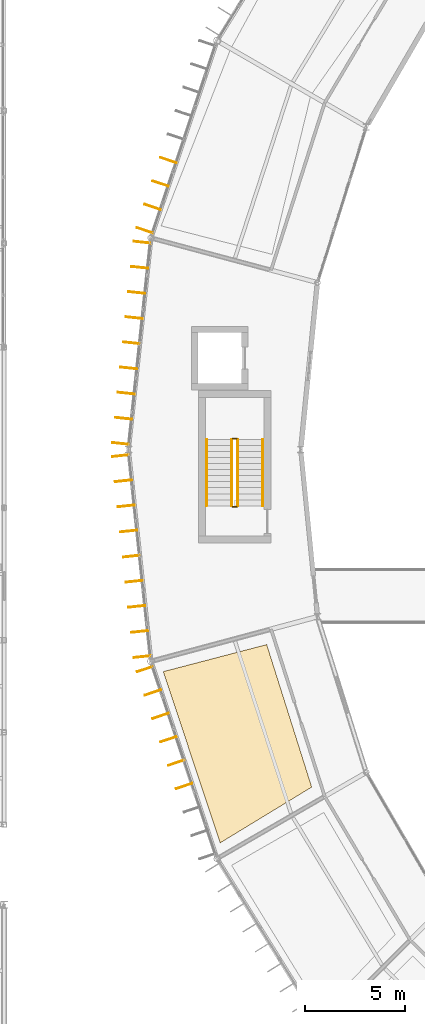
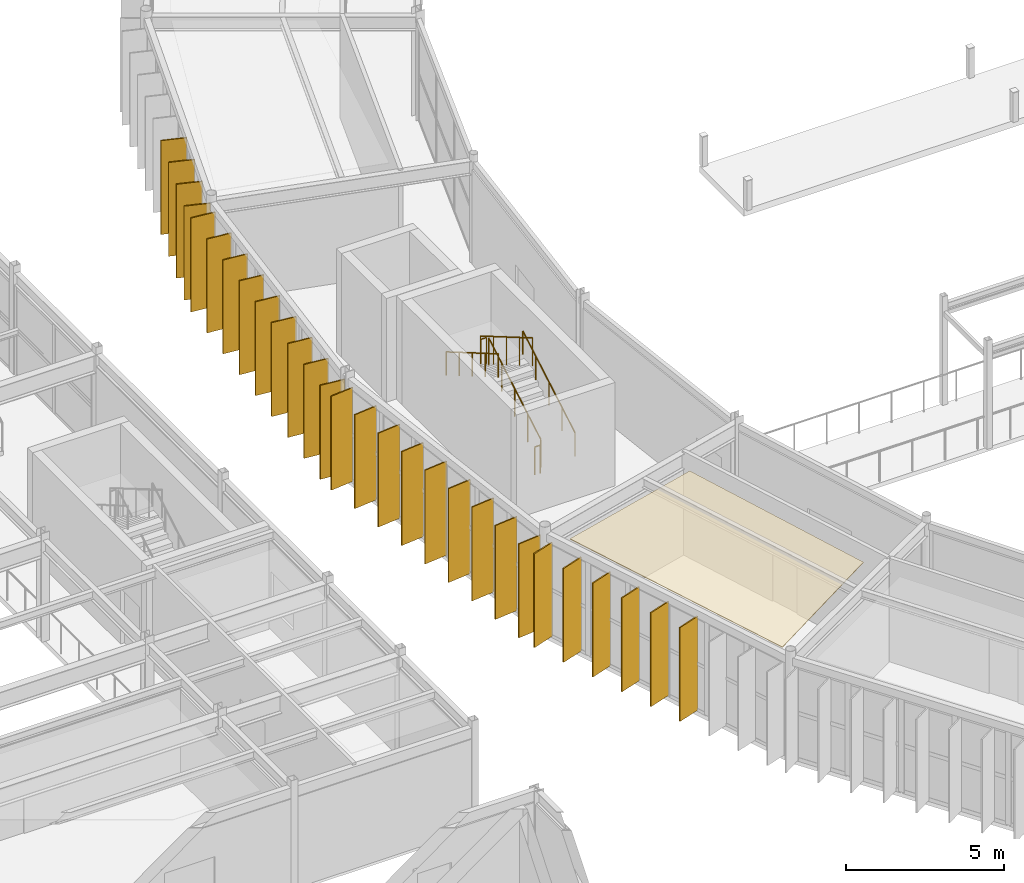
# One storey, part 136 of 147: 28 shading devices, 6 railings, 1 covering.
"""IFC4 building model written with IfcOpenShell, lengths in metres."""

from ifc_helpers import new_model, si_unit, direction, frame, origin, origin_2d, place, context, subcontext, project, spatial, polyline, rectangle, circle, outline, extrude, material, layer, layer_set, type_object, element, save


model = new_model("IFC4")

# Units and contexts
model_context = context("Model", 3, precision=1e-05, world=origin(), true_north=direction((0.0, 1.0)))
body_context = subcontext(model_context, "Body", "Model", "MODEL_VIEW")
ifc_project = project(units=[si_unit("LENGTHUNIT", "METRE"), si_unit("AREAUNIT", "SQUARE_METRE"), si_unit("VOLUMEUNIT", "CUBIC_METRE"), si_unit("PLANEANGLEUNIT", "RADIAN"), si_unit("MASSUNIT", "GRAM", prefix="KILO")], contexts=[model_context])

# Site, building, storey
site_placement = place(None, origin())
site = spatial("IfcSite", under=ifc_project, at=site_placement, CompositionType="ELEMENT")
building_placement = place(site_placement, origin())
building = spatial("IfcBuilding", under=site, at=building_placement, Name="Karori Crest Natural Sciences Institute", CompositionType="ELEMENT")
storey_placement = place(building_placement, frame((0.0, 0.0, 9.10009765625)))
storey = spatial("IfcBuildingStorey", under=building, at=storey_placement, Name="L02", CompositionType="ELEMENT", Elevation=9.10009765625)

# Covering
ifc_material_1 = material(Name="Acoustic mineral fibre ceiling tile")
ifc_layer_1 = layer(ifc_material_1, 0.02490234375, Name="Acoustic mineral fibre ceiling tile")
ifc_layer_set_1 = layer_set([ifc_layer_1], Name="Acoustic mineral fibre ceiling tile")
covering_type = type_object("IfcCoveringType", Name="CVT-CEIL", PredefinedType="CEILING", material=ifc_layer_set_1)
covering_placement = place(storey_placement, frame((0.0, 0.0, 3.704833984375)))
element("IfcCovering", 1, at=covering_placement, inside=storey, type_object=covering_type, Name="Acoustic ceiling CLG-0070", PredefinedType="CEILING", context=body_context, shape_type="SweptSolid", body=[
    extrude(outline(polyline([(42.5400390625, 33.06591796875), (40.296630859375, 40.1748046875), (35.138427734375, 38.827392578125), (37.974365234375, 30.28515625), (42.5400390625, 33.06591796875)])), origin(), (0.0, 0.0, 1.0), 0.025146484375),
])

# Railings
ifc_material_2 = material(Name="Stainless steel 316 tubular handrail", Category="steel")
railing_type_1 = type_object("IfcRailingType", Name="RLT-HND", PredefinedType="HANDRAIL", material=ifc_material_2)
railing_1_placement = place(storey_placement, frame((40.10009765625, 47.10009765625, 0.1748046875)))
element("IfcRailing", 2, at=railing_1_placement, inside=storey, type_object=railing_type_1, Name="Stair handrail RL-0072", PredefinedType="HANDRAIL", context=body_context, shape_type="SweptSolid", body=[
    extrude(circle(Radius=0.02392578125, at=origin_2d()), frame((0.0, 0.0, 0.90087890625), z_axis=(0.0, 0.863760357493, 0.503902812876), x_axis=(-1.0, 0.0, 0.0)), (0.0, 0.0, 1.0), 3.8203125),
    extrude(circle(Radius=0.02099609375, at=origin_2d()), origin(), (0.0, 0.0, 1.0), 0.876953125),
    extrude(circle(Radius=0.02099609375, at=origin_2d()), frame((0.0, 0.824951171875, 0.481201171875)), (0.0, 0.0, 1.0), 0.876953125),
    extrude(circle(Radius=0.02099609375, at=origin_2d()), frame((0.0, 1.64990234375, 0.96240234375)), (0.0, 0.0, 1.0), 0.876953125),
    extrude(circle(Radius=0.02099609375, at=origin_2d()), frame((0.0, 2.474853515625, 1.44384765625)), (0.0, 0.0, 1.0), 0.876953125),
    extrude(circle(Radius=0.02099609375, at=origin_2d()), frame((0.0, 3.2998046875, 1.925048828125)), (0.0, 0.0, 1.0), 0.876953125),
])
railing_2_placement = place(storey_placement, frame((37.300048828125, 50.39990234375, 2.27490234375)))
element("IfcRailing", 3, at=railing_2_placement, inside=storey, type_object=railing_type_1, Name="Stair handrail RL-0073", PredefinedType="HANDRAIL", context=body_context, shape_type="SweptSolid", body=[
    extrude(circle(Radius=0.02392578125, at=origin_2d()), frame((0.0, 0.0, 0.90087890625), z_axis=(0.0, -0.863760357493, 0.503902812876), x_axis=(1.0, 0.0, 0.0)), (0.0, 0.0, 1.0), 3.8203125),
    extrude(circle(Radius=0.02099609375, at=origin_2d()), origin(), (0.0, 0.0, 1.0), 0.876953125),
    extrude(circle(Radius=0.02099609375, at=origin_2d()), frame((0.0, -0.824951171875, 0.481201171875)), (0.0, 0.0, 1.0), 0.876953125),
    extrude(circle(Radius=0.02099609375, at=origin_2d()), frame((0.0, -1.64990234375, 0.96240234375)), (0.0, 0.0, 1.0), 0.876953125),
    extrude(circle(Radius=0.02099609375, at=origin_2d()), frame((0.0, -2.474853515625, 1.44384765625)), (0.0, 0.0, 1.0), 0.876953125),
    extrude(circle(Radius=0.02099609375, at=origin_2d()), frame((0.0, -3.2998046875, 1.925048828125)), (0.0, 0.0, 1.0), 0.876953125),
])
ifc_material_3 = material(Name="Stainless steel 316 stair guard", Category="steel")
railing_type_2 = type_object("IfcRailingType", Name="RLT-STG", PredefinedType="GUARDRAIL", material=ifc_material_3)
railing_3_placement = place(storey_placement, frame((38.85009765625, 47.10009765625, 0.1748046875)))
element("IfcRailing", 4, at=railing_3_placement, inside=storey, type_object=railing_type_2, Name="Stair guard RL-0068", PredefinedType="GUARDRAIL", context=body_context, shape_type="SweptSolid", body=[
    extrude(circle(Radius=0.02392578125, at=origin_2d()), frame((0.0, 0.0, 1.076171875), z_axis=(0.0, 0.863760357493, 0.503902812876), x_axis=(-1.0, 0.0, 0.0)), (0.0, 0.0, 1.0), 3.8203125),
    extrude(circle(Radius=0.02099609375, at=origin_2d()), origin(), (0.0, 0.0, 1.0), 1.052001953125),
    extrude(circle(Radius=0.02099609375, at=origin_2d()), frame((0.0, 0.824951171875, 0.481201171875)), (0.0, 0.0, 1.0), 1.052001953125),
    extrude(circle(Radius=0.02099609375, at=origin_2d()), frame((0.0, 1.64990234375, 0.96240234375)), (0.0, 0.0, 1.0), 1.052001953125),
    extrude(circle(Radius=0.02099609375, at=origin_2d()), frame((0.0, 2.474853515625, 1.44384765625)), (0.0, 0.0, 1.0), 1.052001953125),
    extrude(circle(Radius=0.02099609375, at=origin_2d()), frame((0.0, 3.2998046875, 1.925048828125)), (0.0, 0.0, 1.0), 1.052001953125),
])
railing_4_placement = place(storey_placement, frame((38.800048828125, 50.449951171875, 2.099853515625)))
element("IfcRailing", 5, at=railing_4_placement, inside=storey, type_object=railing_type_2, Name="Stair guard RL-0069", PredefinedType="GUARDRAIL", context=body_context, shape_type="SweptSolid", body=[
    extrude(circle(Radius=0.02392578125, at=origin_2d()), frame((0.0, 0.0, 1.076171875), z_axis=(-1.0, 0.0, 0.0), x_axis=(0.0, -1.0, 0.0)), (0.0, 0.0, 1.0), 0.199951171875),
    extrude(circle(Radius=0.02099609375, at=origin_2d()), origin(), (0.0, 0.0, 1.0), 1.052001953125),
    extrude(circle(Radius=0.02099609375, at=origin_2d()), frame((-0.199951171875, 0.0, 0.0)), (0.0, 0.0, 1.0), 1.052001953125),
])
railing_5_placement = place(storey_placement, frame((38.550048828125, 50.39990234375, 2.27490234375)))
element("IfcRailing", 6, at=railing_5_placement, inside=storey, type_object=railing_type_2, Name="Stair guard RL-0070", PredefinedType="GUARDRAIL", context=body_context, shape_type="SweptSolid", body=[
    extrude(circle(Radius=0.02392578125, at=origin_2d()), frame((0.0, 0.0, 1.076171875), z_axis=(0.0, -0.863760357493, 0.503902812876), x_axis=(1.0, 0.0, 0.0)), (0.0, 0.0, 1.0), 3.8203125),
    extrude(circle(Radius=0.02099609375, at=origin_2d()), origin(), (0.0, 0.0, 1.0), 1.052001953125),
    extrude(circle(Radius=0.02099609375, at=origin_2d()), frame((0.0, -0.824951171875, 0.481201171875)), (0.0, 0.0, 1.0), 1.052001953125),
    extrude(circle(Radius=0.02099609375, at=origin_2d()), frame((0.0, -1.64990234375, 0.96240234375)), (0.0, 0.0, 1.0), 1.052001953125),
    extrude(circle(Radius=0.02099609375, at=origin_2d()), frame((0.0, -2.474853515625, 1.44384765625)), (0.0, 0.0, 1.0), 1.052001953125),
    extrude(circle(Radius=0.02099609375, at=origin_2d()), frame((0.0, -3.2998046875, 1.925048828125)), (0.0, 0.0, 1.0), 1.052001953125),
])
railing_6_placement = place(storey_placement, frame((38.800048828125, 47.050048828125, 0.0)))
element("IfcRailing", 7, at=railing_6_placement, inside=storey, type_object=railing_type_2, Name="Stair guard RL-0071", PredefinedType="GUARDRAIL", context=body_context, shape_type="SweptSolid", body=[
    extrude(circle(Radius=0.02392578125, at=origin_2d()), frame((0.0, 0.0, 1.076171875), z_axis=(-1.0, 0.0, 0.0), x_axis=(0.0, -1.0, 0.0)), (0.0, 0.0, 1.0), 0.199951171875),
    extrude(circle(Radius=0.02099609375, at=origin_2d()), origin(), (0.0, 0.0, 1.0), 1.052001953125),
    extrude(circle(Radius=0.02099609375, at=origin_2d()), frame((-0.199951171875, 0.0, 0.0)), (0.0, 0.0, 1.0), 1.052001953125),
])

# Shading devices
ifc_material_4 = material(Name="Anodised architectural aluminium 6063-T6", Category="aluminium")
ifc_layer_2 = layer(ifc_material_4, 0.044921875, Name="Anodised architectural aluminium 6063-T6")
ifc_layer_set_2 = layer_set([ifc_layer_2], Name="Anodised architectural aluminium 6063-T6")
shading_device_type = type_object("IfcShadingDeviceType", Name="SDT-FIN", PredefinedType="USERDEFINED", material=ifc_layer_set_2)
for number, where, z_axis, x_axis, name in (
    (8, (34.21826171875, 60.836669921875, 0.0), (0.0, 0.0, 1.0), (-0.948196204549, 0.317685312343, 0.0), "Vertical solar fin FN-0289"),
    (9, (34.60888671875, 62.003173828125, 0.0), (0.0, 0.0, 1.0), (-0.948196204549, 0.317685312343, 0.0), "Vertical solar fin FN-0290"),
    (10, (35.0, 63.169677734375, 0.0), (0.0, 0.0, 1.0), (-0.948196204549, 0.317685312343, 0.0), "Vertical solar fin FN-0291"),
    (11, (35.390625, 64.336181640625, 0.0), (0.0, 0.0, 1.0), (-0.948196204549, 0.317685312343, 0.0), "Vertical solar fin FN-0292"),
    (12, (33.02001953125, 50.204345703125, 0.0), (0.0, 0.0, 1.0), (-0.994378488506, 0.105884000668, 0.0), "Vertical solar fin FN-0298"),
    (13, (33.15380859375, 51.45947265625, 0.0), (0.0, 0.0, 1.0), (-0.994378488506, 0.105884000668, 0.0), "Vertical solar fin FN-0299"),
    (14, (33.287353515625, 52.71435546875, 0.0), (0.0, 0.0, 1.0), (-0.994378488506, 0.105884000668, 0.0), "Vertical solar fin FN-0300"),
    (15, (33.4208984375, 53.969482421875, 0.0), (0.0, 0.0, 1.0), (-0.994378488506, 0.105884000668, 0.0), "Vertical solar fin FN-0301"),
    (16, (33.5546875, 55.224609375, 0.0), (0.0, 0.0, 1.0), (-0.994378488506, 0.105884000668, 0.0), "Vertical solar fin FN-0302"),
    (17, (33.688232421875, 56.4794921875, 0.0), (0.0, 0.0, 1.0), (-0.994378488506, 0.105884000668, 0.0), "Vertical solar fin FN-0303"),
    (18, (33.822021484375, 57.734619140625, 0.0), (0.0, 0.0, 1.0), (-0.994378488506, 0.105884000668, 0.0), "Vertical solar fin FN-0304"),
    (19, (33.95556640625, 58.989501953125, 0.0), (0.0, 0.0, 1.0), (-0.994378488506, 0.105884000668, 0.0), "Vertical solar fin FN-0305"),
    (20, (34.089111328125, 60.24462890625, 0.0), (0.0, 0.0, 1.0), (-0.994378488506, 0.105884000668, 0.0), "Vertical solar fin FN-0306"),
    (21, (34.08740234375, 39.571044921875, 0.0), (0.0, 0.0, 1.0), (-0.994378673306, -0.10588226515, 0.0), "Vertical solar fin FN-0307"),
    (22, (33.9541015625, 40.82421875, 0.0), (0.0, 0.0, 1.0), (-0.994378673306, -0.10588226515, 0.0), "Vertical solar fin FN-0308"),
    (23, (33.82080078125, 42.0771484375, 0.0), (0.0, 0.0, 1.0), (-0.994378673306, -0.10588226515, 0.0), "Vertical solar fin FN-0309"),
    (24, (33.687255859375, 43.330322265625, 0.0), (0.0, 0.0, 1.0), (-0.994378673306, -0.10588226515, 0.0), "Vertical solar fin FN-0310"),
    (25, (33.5537109375, 44.583251953125, 0.0), (0.0, 0.0, 1.0), (-0.994378673306, -0.10588226515, 0.0), "Vertical solar fin FN-0311"),
    (26, (33.42041015625, 45.83642578125, 0.0), (0.0, 0.0, 1.0), (-0.994378673306, -0.10588226515, 0.0), "Vertical solar fin FN-0312"),
    (27, (33.286865234375, 47.089599609375, 0.0), (0.0, 0.0, 1.0), (-0.994378673306, -0.10588226515, 0.0), "Vertical solar fin FN-0313"),
    (28, (33.153564453125, 48.342529296875, 0.0), (0.0, 0.0, 1.0), (-0.994378673306, -0.10588226515, 0.0), "Vertical solar fin FN-0314"),
    (29, (33.02001953125, 49.595703125, 0.0), (0.0, 0.0, 1.0), (-0.994378673306, -0.10588226515, 0.0), "Vertical solar fin FN-0315"),
    (30, (36.177490234375, 33.11572265625, 0.0), (0.0, 0.0, 1.0), (-0.948196204549, -0.317685312343, 0.0), "Vertical solar fin FN-0319"),
    (31, (35.78662109375, 34.2822265625, 0.0), (0.0, 0.0, 1.0), (-0.948196204549, -0.317685312343, 0.0), "Vertical solar fin FN-0320"),
    (32, (35.395751953125, 35.448974609375, 0.0), (0.0, 0.0, 1.0), (-0.948196204549, -0.317685312343, 0.0), "Vertical solar fin FN-0321"),
    (33, (35.0048828125, 36.615478515625, 0.0), (0.0, 0.0, 1.0), (-0.948196204549, -0.317685312343, 0.0), "Vertical solar fin FN-0322"),
    (34, (34.614013671875, 37.781982421875, 0.0), (0.0, 0.0, 1.0), (-0.948196204549, -0.317685312343, 0.0), "Vertical solar fin FN-0323"),
    (35, (34.22314453125, 38.948486328125, 0.0), (0.0, 0.0, 1.0), (-0.948196204549, -0.317685312343, 0.0), "Vertical solar fin FN-0324"),
):
    element("IfcShadingDevice", number, at=place(storey_placement, frame(where, z_axis=z_axis, x_axis=x_axis)), inside=storey, type_object=shading_device_type, Name=name, ObjectType="SOLAR_FIN", PredefinedType="USERDEFINED", context=body_context, shape_type="SweptSolid", body=[
        extrude(rectangle(XDim=0.85009765625, YDim=0.044921875, at=origin_2d()), origin(), (0.0, 0.0, 1.0), 3.625),
    ])

save(model, "model.ifc")
